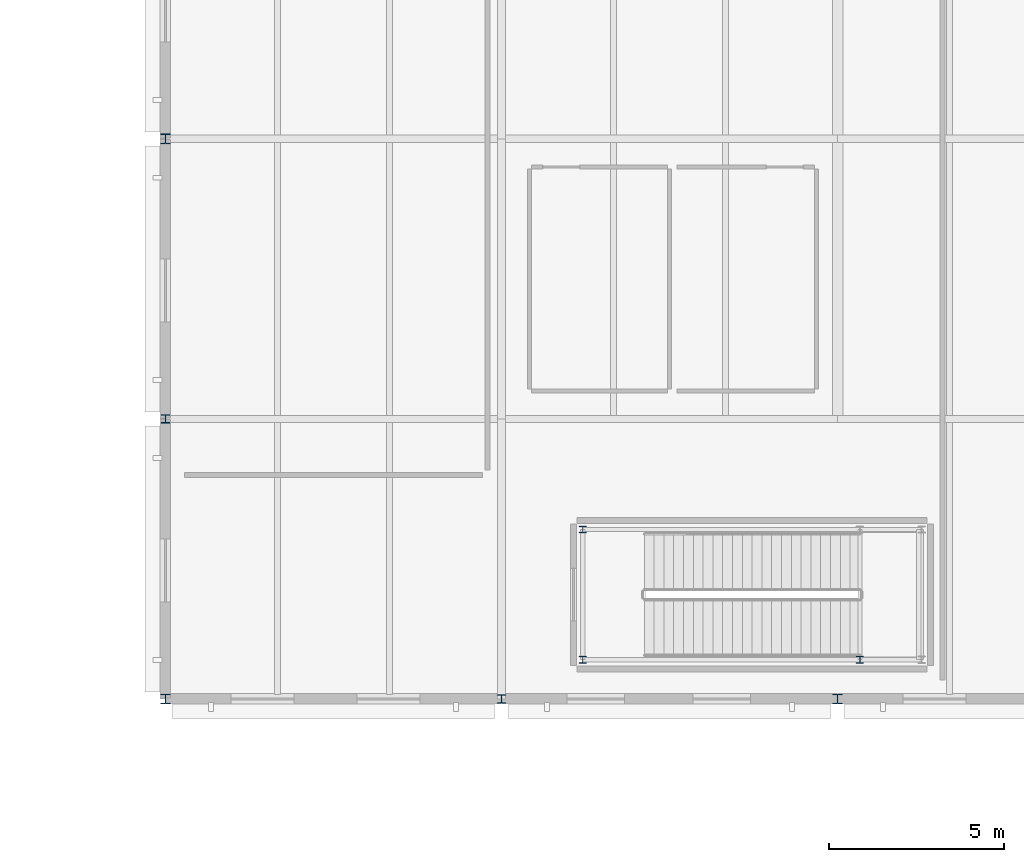
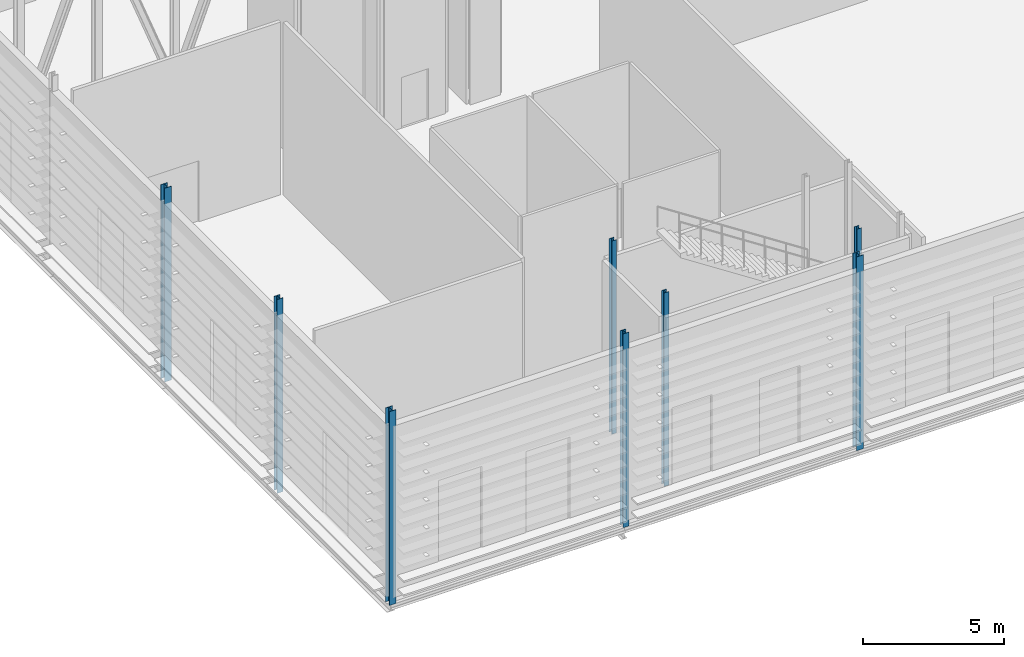
# One storey, part 1 of 73: 8 columns.
"""IFC4 building model written with IfcOpenShell, lengths in metres."""

import ifcopenshell
import ifcopenshell.guid

model = None  # the IFC model being written
_history = None  # IfcOwnerHistory: only IFC2X3 demands one
_inside = {}  # id of a spatial element -> (the spatial element, [elements in it])
_under = {}  # id of a project, library or spatial element -> (it, [spatial elements below it])
_declared = {}  # id of a project -> (the project, [libraries it declares])
_typed = {}  # id of a type object -> (the type object, [elements of that type])
_made_of = {}  # id of a material, layer set ... -> (it, [elements and type objects made of it])


def new_model(schema):
    """Start an empty IFC model of exactly this schema.

    Asked for "IFC4X3", IfcOpenShell would pick the latest addendum, in which some entities
    have other attributes; the version numbers below select the first issue.
    IFC2X3 requires an IfcOwnerHistory on every rooted entity: one is made here for all.
    """
    global model, _history
    if schema == "IFC4X3":
        model = ifcopenshell.file(schema_version=(4, 3, 0, 0))
    else:
        model = ifcopenshell.file(schema=schema)
    _inside.clear()
    _under.clear()
    _declared.clear()
    _typed.clear()
    _made_of.clear()
    _history = None
    if model.schema == "IFC2X3":
        org = make("IfcOrganization", Name="unknown")
        user = make(
            "IfcPersonAndOrganization",
            ThePerson=make("IfcPerson", FamilyName="unknown"),
            TheOrganization=org,
        )
        app = make(
            "IfcApplication",
            ApplicationDeveloper=org,
            Version="unknown",
            ApplicationFullName="unknown",
            ApplicationIdentifier="unknown",
        )
        _history = make(
            "IfcOwnerHistory",
            OwningUser=user,
            OwningApplication=app,
            ChangeAction="ADDED",
            CreationDate=0,
        )
    return model


def make(cls, **values):
    """One entity of the class cls with the attributes given. An attribute that is None is left unset."""
    return model.create_entity(
        cls, **{name: value for name, value in values.items() if value is not None}
    )


def rooted(cls, **values):
    """An entity with a GlobalId (a new one), such as an element, a storey or a relation."""
    return make(cls, GlobalId=ifcopenshell.guid.new(), OwnerHistory=_history, **values)


def si_unit(unit_type, name, prefix=None):
    """IfcSIUnit, for example si_unit("LENGTHUNIT", "METRE", prefix="MILLI")."""
    return make("IfcSIUnit", UnitType=unit_type, Prefix=prefix, Name=name)


def assignment(units):
    """IfcUnitAssignment: the units of a project."""
    return None if units is None else make("IfcUnitAssignment", Units=units)


def point(xyz):
    """IfcCartesianPoint."""
    return None if xyz is None else make("IfcCartesianPoint", Coordinates=xyz)


def direction(xyz):
    """IfcDirection."""
    return None if xyz is None else make("IfcDirection", DirectionRatios=xyz)


def frame(location, z_axis=None, x_axis=None):
    """IfcAxis2Placement3D, a coordinate frame: its origin and axes. An axis left out is left unset."""
    return make(
        "IfcAxis2Placement3D",
        Location=point(location),
        Axis=direction(z_axis),
        RefDirection=direction(x_axis),
    )


def frame_2d(location, x_axis=None):
    """IfcAxis2Placement2D, a coordinate frame in the plane: its origin and x axis."""
    return make(
        "IfcAxis2Placement2D", Location=point(location), RefDirection=direction(x_axis)
    )


def origin():
    """The frame at (0, 0, 0) with its axes left unset."""
    return frame((0.0, 0.0, 0.0))


def origin_2d():
    """The frame at (0, 0) in the plane with its x axis left unset."""
    return frame_2d((0.0, 0.0))


def place(relative_to, where):
    """IfcLocalPlacement: puts the frame where relative to a parent placement (None: the world)."""
    return make(
        "IfcLocalPlacement", PlacementRelTo=relative_to, RelativePlacement=where
    )


def context(
    kind, dimensions, precision=None, world=None, true_north=None, identifier=None
):
    """IfcGeometricRepresentationContext, for example the 3D "Model" context."""
    return make(
        "IfcGeometricRepresentationContext",
        ContextIdentifier=identifier,
        ContextType=kind,
        CoordinateSpaceDimension=dimensions,
        Precision=precision,
        WorldCoordinateSystem=world,
        TrueNorth=true_north,
    )


def subcontext(parent, identifier, kind, view, scale=None):
    """IfcGeometricRepresentationSubContext, for example "Body" below "Model"."""
    return make(
        "IfcGeometricRepresentationSubContext",
        ContextIdentifier=identifier,
        ContextType=kind,
        ParentContext=parent,
        TargetScale=scale,
        TargetView=view,
    )


def project(units=None, contexts=None):
    """IfcProject with its units and contexts."""
    return rooted(
        "IfcProject",
        Name="project",
        RepresentationContexts=contexts,
        UnitsInContext=assignment(units),
    )


def spatial(cls, under=None, at=None, **own):
    """A site, building, storey or space (cls), placed at a placement, below another one or the project."""
    s = rooted(cls, ObjectPlacement=at, **own)
    if under is not None:
        _under.setdefault(under.id(), (under, []))[1].append(s)
    return s


def profile(cls, at=None, kind="AREA", **sizes):
    """A parametric profile (cls). Its sizes go by their IFC names, for example OverallWidth=200.0."""
    return make(cls, ProfileType=kind, Position=at, **sizes)


def i_section(**sizes):
    """IfcIShapeProfileDef."""
    return profile("IfcIShapeProfileDef", **sizes)


def extrude(swept, where, along, depth):
    """IfcExtrudedAreaSolid: the profile swept, set in the frame where, extruded along a direction by depth."""
    return make(
        "IfcExtrudedAreaSolid",
        SweptArea=swept,
        Position=where,
        ExtrudedDirection=direction(along),
        Depth=depth,
    )


def shape(context_of_items, identifier, shape_type, items):
    """IfcShapeRepresentation: the items that make up one representation, for example the "Body"."""
    return make(
        "IfcShapeRepresentation",
        ContextOfItems=context_of_items,
        RepresentationIdentifier=identifier,
        RepresentationType=shape_type,
        Items=items,
    )


def material(Name=None, Category=None):
    """IfcMaterial."""
    return make("IfcMaterial", Name=Name, Category=Category)


def material_profile(
    of_material, cross_section, Name=None, Category=None, Priority=None
):
    """IfcMaterialProfile: a cross section and its material."""
    return make(
        "IfcMaterialProfile",
        Name=Name,
        Material=of_material,
        Profile=cross_section,
        Priority=Priority,
        Category=Category,
    )


def profile_set(profiles, Name=None, composite=None):
    """IfcMaterialProfileSet."""
    return make(
        "IfcMaterialProfileSet",
        Name=Name,
        MaterialProfiles=profiles,
        CompositeProfile=composite,
    )


def made_of(thing, what):
    """Note that an element or type object is made of a material, layer set ...; save() writes the relation."""
    if what is not None:
        _made_of.setdefault(what.id(), (what, []))[1].append(thing)
    return thing


def type_object(cls, material=None, **own):
    """A type object (cls), such as IfcWallType, which elements share."""
    return made_of(rooted(cls, **own), material)


def element(
    cls,
    number,
    at=None,
    inside=None,
    cuts=None,
    type_object=None,
    material=None,
    context=None,
    identifier="Body",
    shape_type=None,
    held_by="IfcProductDefinitionShape",
    body=None,
    shapes=None,
    **own,
):
    """One element of the class cls, such as IfcWall. Its Tag is "e" and its number.

    at: its placement. inside: the storey or other place that contains it. cuts: it is an
    opening in that element (IfcRelVoidsElement). A single representation is given by context,
    identifier, shape_type and body (its items); several are given by shapes. held_by: the class
    of the entity that holds the representations. save() writes the other relations.
    """
    e = rooted(cls, Tag="e%d" % number, ObjectPlacement=at, **own)
    if body is not None:
        shapes = [shape(context, identifier, shape_type, body)]
    if shapes is not None:
        e.Representation = make(held_by, Representations=shapes)
    if inside is not None:
        _inside.setdefault(inside.id(), (inside, []))[1].append(e)
    if cuts is not None:
        rooted(
            "IfcRelVoidsElement", RelatingBuildingElement=cuts, RelatedOpeningElement=e
        )
    if type_object is not None:
        _typed.setdefault(type_object.id(), (type_object, []))[1].append(e)
    return made_of(e, material)


def aggregate(whole, parts):
    """IfcRelAggregates: a whole, such as a stair, and the parts it consists of."""
    return rooted("IfcRelAggregates", RelatingObject=whole, RelatedObjects=parts)


def save(model, path):
    """Write the relations noted so far, then the file.

    IfcRelAggregates (storeys below a building ...), IfcRelContainedInSpatialStructure (elements
    in a storey), IfcRelDefinesByType, IfcRelAssociatesMaterial and IfcRelDeclares: one each for
    every whole, place, type object, material and project.
    """
    for whole, parts in _under.values():
        aggregate(whole, parts)
    for where, things in _inside.values():
        rooted(
            "IfcRelContainedInSpatialStructure",
            RelatedElements=things,
            RelatingStructure=where,
        )
    for kind, things in _typed.values():
        rooted("IfcRelDefinesByType", RelatedObjects=things, RelatingType=kind)
    for what, things in _made_of.values():
        rooted("IfcRelAssociatesMaterial", RelatedObjects=things, RelatingMaterial=what)
    for by, libraries in _declared.values():
        rooted("IfcRelDeclares", RelatingContext=by, RelatedDefinitions=libraries)
    model.write(path)


model = new_model("IFC4")

# Units and contexts
model_context = context("Model", 3, precision=1e-05, world=origin(), true_north=direction((0.0, 1.0)))
body_context = subcontext(model_context, "Body", "Model", "MODEL_VIEW")
ifc_project = project(units=[si_unit("LENGTHUNIT", "METRE"), si_unit("AREAUNIT", "SQUARE_METRE"), si_unit("VOLUMEUNIT", "CUBIC_METRE"), si_unit("PLANEANGLEUNIT", "RADIAN"), si_unit("MASSUNIT", "GRAM", prefix="KILO")], contexts=[model_context])

# Site, building, storey
site_placement = place(None, origin())
site = spatial("IfcSite", under=ifc_project, at=site_placement, CompositionType="ELEMENT")
building_placement = place(site_placement, origin())
building = spatial("IfcBuilding", under=site, at=building_placement, Name="Alderhovde Museum", CompositionType="ELEMENT")
storey_placement = place(building_placement, frame((0.0, 0.0, 17.39990234375)))
storey = spatial("IfcBuildingStorey", under=building, at=storey_placement, Name="L04", CompositionType="ELEMENT", Elevation=17.39990234375)

# Columns
ifc_material_1 = material(Name="Steel S355J2", Category="steel")
ifc_material_profile_1 = material_profile(ifc_material_1, i_section(OverallWidth=0.199951171875, OverallDepth=0.18994140625, WebThickness=0.006591796875, FlangeThickness=0.010009765625, FilletRadius=0.01806640625, at=origin_2d()), Name="HEA 200")
ifc_profile_set_1 = profile_set([ifc_material_profile_1], Name="Steel S355J2")
column_type_1 = type_object("IfcColumnType", Name="COL-HEA200", PredefinedType="COLUMN", material=ifc_profile_set_1)
for number, where, z_axis, x_axis, name in (
    (1, (21.52001953125, 49.1201171875, 0.0), (0.0, 0.0, 1.0), (1.0, 0.0, 0.0), "L04 Stair ST1 Shaft Column 1"),
    (2, (21.52001953125, 52.840087890625, 0.0), (0.0, 0.0, 1.0), (1.0, 0.0, 0.0), "L04 Stair ST1 Shaft Column 4"),
    (3, (29.43994140625, 49.1201171875, 0.0), (0.0, 0.0, 1.0), (1.0, 0.0, 0.0), "L04 Stair ST1 Shaft Column 5"),
):
    element("IfcColumn", number, at=place(storey_placement, frame(where, z_axis=z_axis, x_axis=x_axis)), inside=storey, type_object=column_type_1, Name=name, PredefinedType="COLUMN", context=body_context, shape_type="SweptSolid", body=[
        extrude(i_section(OverallWidth=0.199951171875, OverallDepth=0.18994140625, WebThickness=0.006591796875, FlangeThickness=0.010009765625, FilletRadius=0.01806640625, at=origin_2d()), origin(), (0.0, 0.0, 1.0), 8.400146484375),
    ])
ifc_material_2 = material(Name="Steel S355J2", Category="steel")
ifc_material_profile_2 = material_profile(ifc_material_2, i_section(OverallWidth=0.239990234375, OverallDepth=0.239990234375, WebThickness=0.010009765625, FlangeThickness=0.01708984375, FilletRadius=0.02099609375, at=origin_2d()), Name="HEB 240")
ifc_profile_set_2 = profile_set([ifc_material_profile_2], Name="Steel S355J2")
column_type_2 = type_object("IfcColumnType", Name="COL-HEB240", PredefinedType="COLUMN", material=ifc_profile_set_2)
for number, where, z_axis, x_axis, name in (
    (4, (9.60009765625, 56.0, -0.27978515625), (0.0, 0.0, 1.0), (1.0, 0.0, 0.0), "L04 Column (9.6, 56.0)"),
    (5, (19.199951171875, 48.0, -0.27978515625), (0.0, 0.0, 1.0), (1.0, 0.0, 0.0), "L04 Column (19.2, 48.0)"),
):
    element("IfcColumn", number, at=place(storey_placement, frame(where, z_axis=z_axis, x_axis=x_axis)), inside=storey, type_object=column_type_2, Name=name, PredefinedType="COLUMN", context=body_context, shape_type="SweptSolid", body=[
        extrude(i_section(OverallWidth=0.239990234375, OverallDepth=0.239990234375, WebThickness=0.010009765625, FlangeThickness=0.01708984375, FilletRadius=0.02099609375, at=origin_2d()), origin(), (0.0, 0.0, 1.0), 8.419921875),
    ])
ifc_material_3 = material(Name="Steel S355J2", Category="steel")
ifc_material_profile_3 = material_profile(ifc_material_3, i_section(OverallWidth=0.280029296875, OverallDepth=0.280029296875, WebThickness=0.010498046875, FlangeThickness=0.01806640625, FilletRadius=0.02392578125, at=origin_2d()), Name="HEB 280")
ifc_profile_set_3 = profile_set([ifc_material_profile_3], Name="Steel S355J2")
column_type_3 = type_object("IfcColumnType", Name="COL-HEB280", PredefinedType="COLUMN", material=ifc_profile_set_3)
for number, where, z_axis, x_axis, name in (
    (6, (9.60009765625, 48.0, -0.27978515625), (0.0, 0.0, 1.0), (1.0, 0.0, 0.0), "L04 Column (9.6, 48.0)"),
    (7, (9.60009765625, 64.0, -0.27978515625), (0.0, 0.0, 1.0), (1.0, 0.0, 0.0), "L04 Column (9.6, 64.0)"),
    (8, (28.800048828125, 48.0, -0.27978515625), (0.0, 0.0, 1.0), (1.0, 0.0, 0.0), "L04 Column (28.8, 48.0)"),
):
    element("IfcColumn", number, at=place(storey_placement, frame(where, z_axis=z_axis, x_axis=x_axis)), inside=storey, type_object=column_type_3, Name=name, PredefinedType="COLUMN", context=body_context, shape_type="SweptSolid", body=[
        extrude(i_section(OverallWidth=0.280029296875, OverallDepth=0.280029296875, WebThickness=0.010498046875, FlangeThickness=0.01806640625, FilletRadius=0.02392578125, at=origin_2d()), origin(), (0.0, 0.0, 1.0), 8.419921875),
    ])

save(model, "model.ifc")
